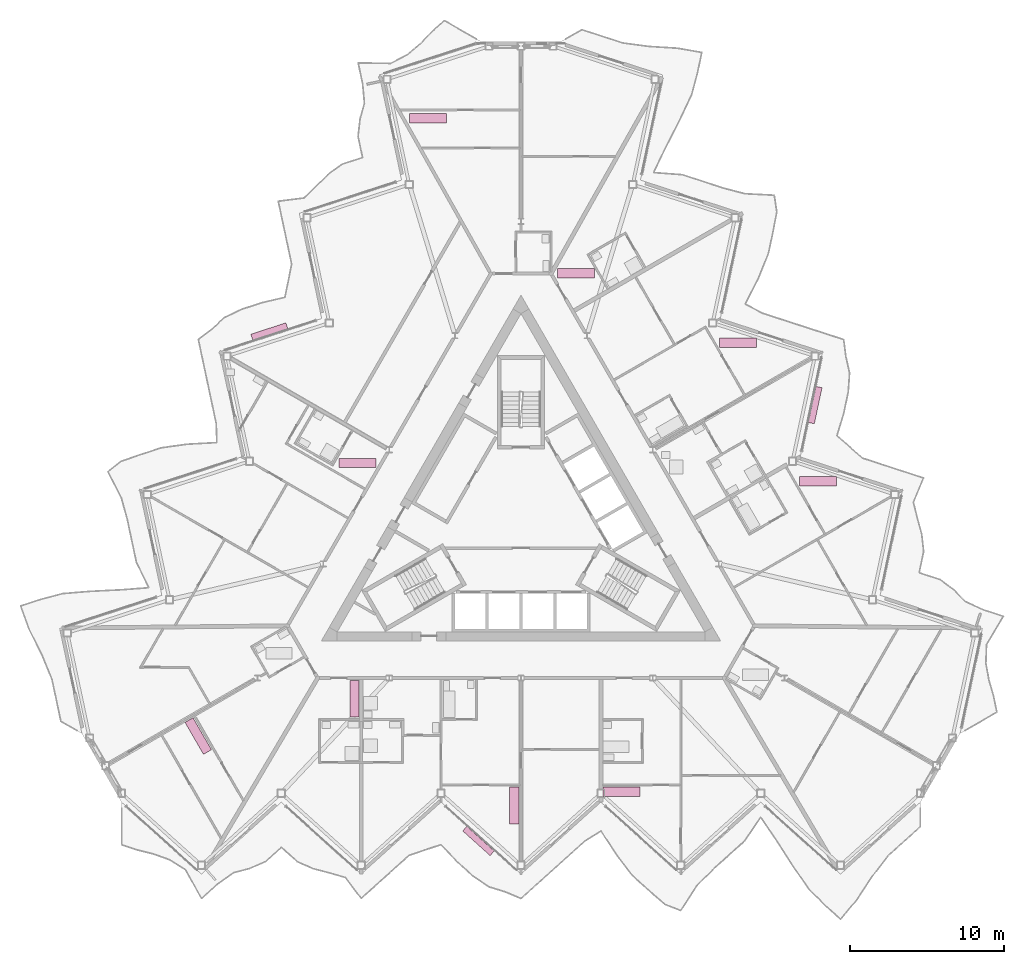
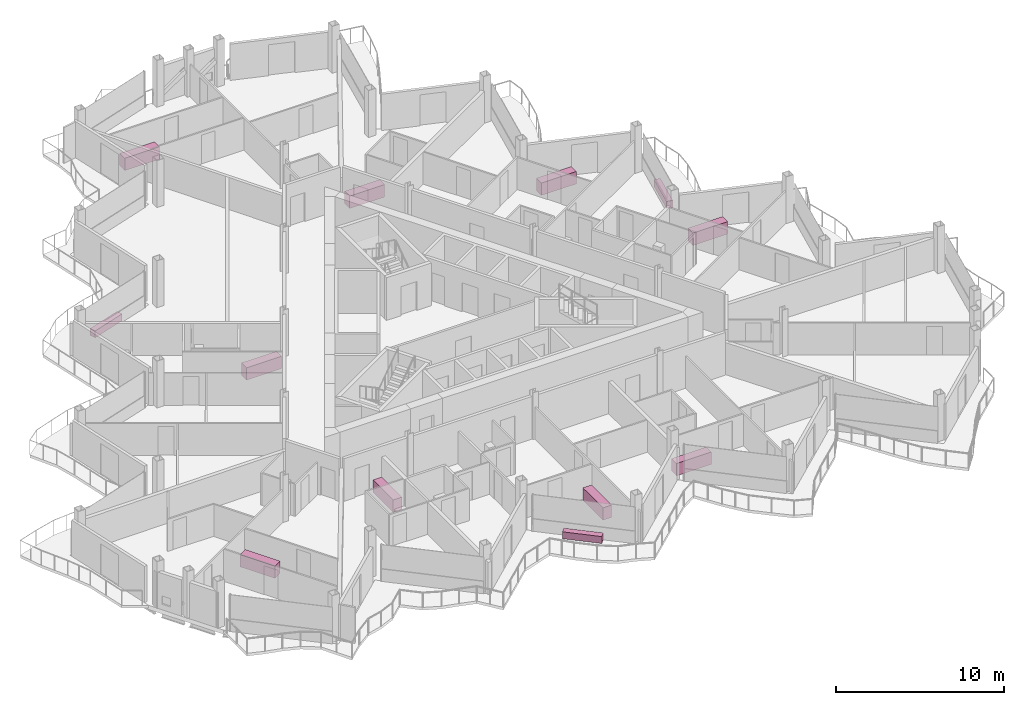
# One storey, part 26 of 26: 12 furniture elements.
"""IFC4 building model written with IfcOpenShell, lengths in metres."""

from ifc_helpers import new_model, si_unit, direction, frame, origin, origin_2d, place, context, subcontext, project, spatial, rectangle, extrude, material, type_object, element, save


model = new_model("IFC4")

# Units and contexts
model_context = context("Model", 3, precision=1e-05, world=origin(), true_north=direction((0.0, 1.0)))
body_context = subcontext(model_context, "Body", "Model", "MODEL_VIEW")
ifc_project = project(units=[si_unit("LENGTHUNIT", "METRE"), si_unit("AREAUNIT", "SQUARE_METRE"), si_unit("VOLUMEUNIT", "CUBIC_METRE"), si_unit("PLANEANGLEUNIT", "RADIAN"), si_unit("MASSUNIT", "GRAM", prefix="KILO")], contexts=[model_context])

# Site, building, storey
site_placement = place(None, origin())
site = spatial("IfcSite", under=ifc_project, at=site_placement, CompositionType="ELEMENT")
building_placement = place(site_placement, origin())
building = spatial("IfcBuilding", under=site, at=building_placement, Name="Cormorant Prow Tower", CompositionType="ELEMENT")
storey_placement = place(building_placement, frame((0.0, 0.0, 371.199951171875)))
storey = spatial("IfcBuildingStorey", under=building, at=storey_placement, Name="L83", CompositionType="ELEMENT", Elevation=371.199951171875)

# Furniture
ifc_material_1 = material(Name="Terracotta", Category="masonry")
furniture_type_1 = type_object("IfcFurnitureType", Name="Balcony planter 2400x400x500", AssemblyPlace="NOTDEFINED", PredefinedType="USERDEFINED", material=ifc_material_1)
for number, where, z_axis, x_axis, name in (
    (1, (-2.767333984375, -20.51025390625, 0.0), (0.0, 0.0, 1.0), (0.743144827638, -0.669130603959, 0.0), "Balcony planter S04"),
    (2, (19.14599609375, 7.858642578125, 0.0), (0.0, 0.0, 1.0), (0.207911620089, 0.978147615768, 0.0), "Balcony planter ENE04"),
    (3, (-16.37890625, 12.651611328125, 0.0), (0.0, 0.0, 1.0), (-0.951056534902, -0.309016937108, 0.0), "Balcony planter WNW04"),
):
    element("IfcFurniture", number, at=place(storey_placement, frame(where, z_axis=z_axis, x_axis=x_axis)), inside=storey, type_object=furniture_type_1, Name=name, ObjectType="PLANTER", PredefinedType="USERDEFINED", context=body_context, shape_type="SweptSolid", body=[
        extrude(rectangle(XDim=2.39990234375, YDim=0.39990234375, at=origin_2d()), origin(), (0.0, 0.0, 1.0), 0.5),
    ])
ifc_material_2 = material(Name="Timber joinery", Category="wood")
furniture_type_2 = type_object("IfcFurnitureType", Name="Kitchen counter 2400x600", AssemblyPlace="NOTDEFINED", PredefinedType="NOTDEFINED", material=ifc_material_2)
for number, where, z_axis, x_axis, name in (
    (4, (-10.844970703125, -11.25048828125, 0.0), (0.0, 0.0, 1.0), (0.0, -1.0, 0.0), "Kitchen counter"),
    (5, (-0.445068359375, -18.2080078125, 0.0), (0.0, 0.0, 1.0), (0.0, -1.0, 0.0), "Kitchen counter"),
    (6, (6.544921875, -17.30810546875, 0.0), (0.0, 0.0, 1.0), (1.0, 0.0, 0.0), "Kitchen counter"),
    (7, (19.33349609375, 2.904541015625, 0.0), (0.0, 0.0, 1.0), (1.0, 0.0, 0.0), "Kitchen counter"),
    (8, (14.133544921875, 11.911376953125, 0.0), (0.0, 0.0, 1.0), (1.0, 0.0, 0.0), "Kitchen counter"),
    (9, (3.572509765625, 16.439208984375, 0.0), (0.0, 0.0, 1.0), (1.0, 0.0, 0.0), "Kitchen counter"),
    (10, (-6.05810546875, 26.53369140625, 0.0), (0.0, 0.0, 1.0), (1.0, 0.0, 0.0), "Kitchen counter"),
    (11, (-10.644775390625, 4.08447265625, 0.0), (0.0, 0.0, 1.0), (1.0, 0.0, 0.0), "Kitchen counter"),
    (12, (-21.007080078125, -13.681396484375, 0.0), (0.0, 0.0, 1.0), (0.5, -0.866025403784, 0.0), "Kitchen counter"),
):
    element("IfcFurniture", number, at=place(storey_placement, frame(where, z_axis=z_axis, x_axis=x_axis)), inside=storey, type_object=furniture_type_2, Name=name, PredefinedType="NOTDEFINED", context=body_context, shape_type="SweptSolid", body=[
        extrude(rectangle(XDim=2.39990234375, YDim=0.60009765625, at=origin_2d()), origin(), (0.0, 0.0, 1.0), 0.89990234375),
    ])

save(model, "model.ifc")
